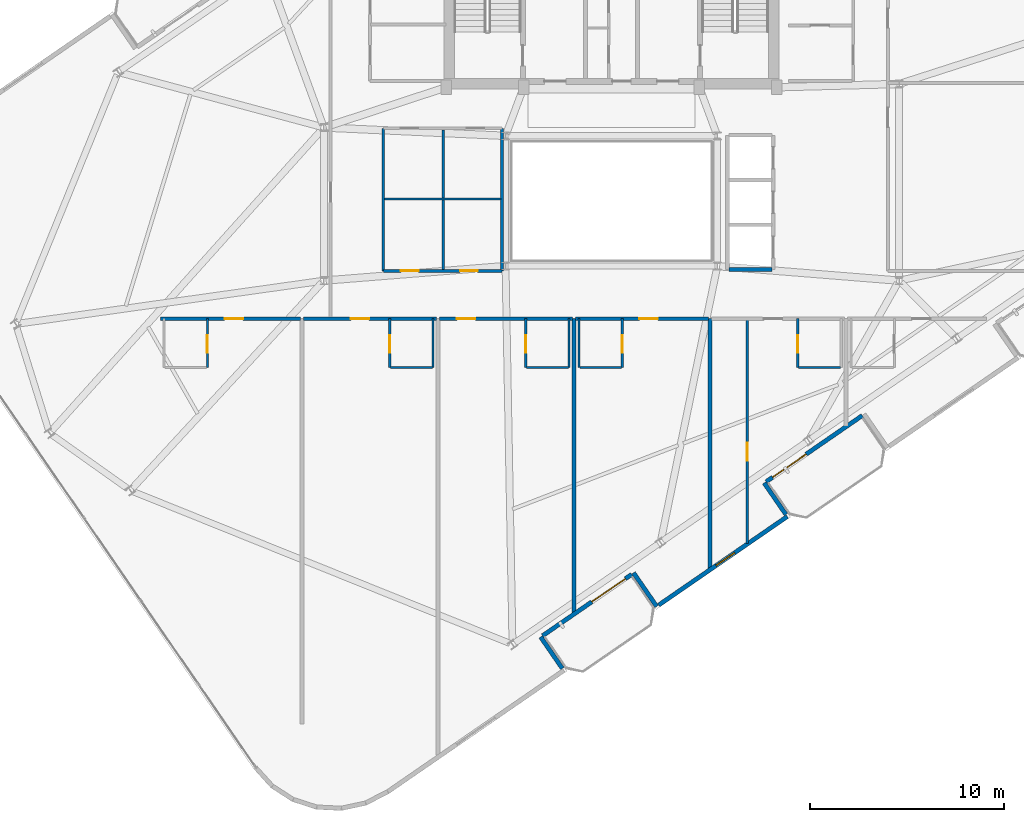
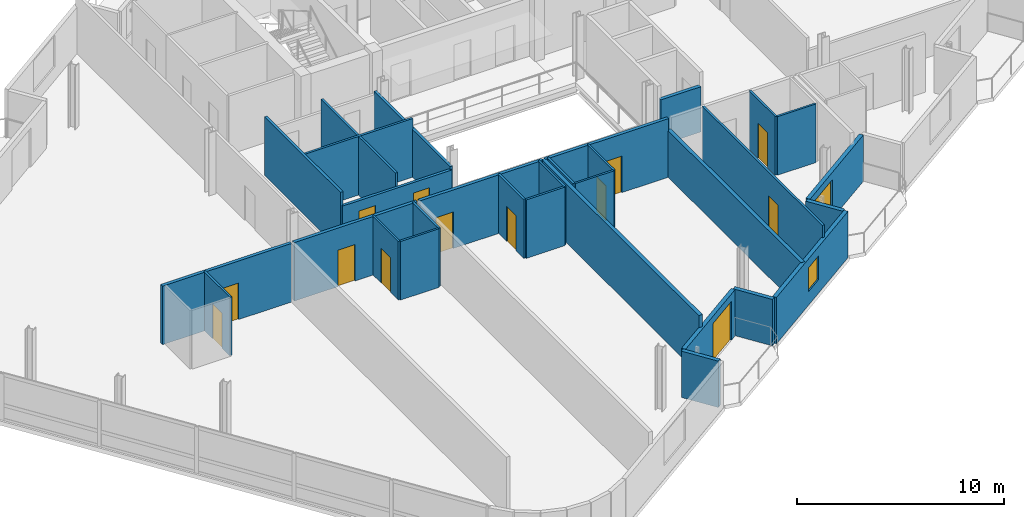
# One storey, part 15 of 22: 31 walls, 14 doors, 1 window, 15 openings.
"""IFC4 building model written with IfcOpenShell, lengths in metres."""

from ifc_helpers import new_model, si_unit, direction, frame, frame_2d, origin, place, context, subcontext, project, spatial, rectangle, extrude, material, layer, layer_set, type_object, element, fill, save


model = new_model("IFC4")

# Units and contexts
model_context = context("Model", 3, precision=1e-05, world=origin(), true_north=direction((0.0, 1.0)))
body_context = subcontext(model_context, "Body", "Model", "MODEL_VIEW")
ifc_project = project(units=[si_unit("LENGTHUNIT", "METRE"), si_unit("AREAUNIT", "SQUARE_METRE"), si_unit("VOLUMEUNIT", "CUBIC_METRE"), si_unit("PLANEANGLEUNIT", "RADIAN"), si_unit("MASSUNIT", "GRAM", prefix="KILO")], contexts=[model_context])

# Site, building, storey
site_placement = place(None, origin())
site = spatial("IfcSite", under=ifc_project, at=site_placement, CompositionType="ELEMENT")
building_placement = place(site_placement, origin())
building = spatial("IfcBuilding", under=site, at=building_placement, Name="Varnelok Gate Tower", CompositionType="ELEMENT")
storey_placement = place(building_placement, frame((0.0, 0.0, 284.10009765625)))
storey = spatial("IfcBuildingStorey", under=building, at=storey_placement, Name="L73", CompositionType="ELEMENT", Elevation=284.10009765625)

# Wall, opening, door
ifc_material_1 = material(Name="Concrete C45/55", Category="concrete")
ifc_layer_1 = layer(ifc_material_1, 0.219970703125)
ifc_layer_set_1 = layer_set([ifc_layer_1], Name="Concrete C45/55")
wall_type_1 = type_object("IfcWallType", Name="EW-BALC-220", PredefinedType="SOLIDWALL", material=ifc_layer_set_1)
wall_1_placement = place(storey_placement, frame((40.243896484375, 3.6884765625, 0.0), z_axis=(0.0, 0.0, 1.0), x_axis=(-0.823541290762, -0.567256328665, 0.0)))
wall_1 = element("IfcWall", 1, at=wall_1_placement, inside=storey, type_object=wall_type_1, Name="L73 South Terrace Envelope Wall 1", PredefinedType="SOLIDWALL", context=body_context, shape_type="SweptSolid", body=[
    extrude(rectangle(XDim=5.567138671875, YDim=0.219970703125, at=frame_2d((2.78369140625, 0.0))), origin(), (0.0, 0.0, 1.0), 2.72998046875),
])
opening_1_placement = place(wall_1_placement, frame((0.39990234375, 0.0, 0.0)))
opening_1 = element("IfcOpeningElement", 2, at=opening_1_placement, cuts=wall_1, Name="Opening BD-2", PredefinedType="OPENING", context=body_context, shape_type="SweptSolid", body=[
    extrude(rectangle(XDim=2.10009765625, YDim=2.300048828125, at=frame_2d((1.050048828125, 1.14990234375))), frame((0.0, 0.119873046875, 0.0), z_axis=(0.0, -1.0, 0.0), x_axis=(1.0, 0.0, 0.0)), (0.0, 0.0, 1.0), 0.239990234375),
])
ifc_material_2 = material(Name="Anodized Aluminum Alloy 6063-T6", Category="aluminium")
door_type_1 = type_object("IfcDoorType", Name="DR-EXT-SLID2100", OperationType="SLIDING_TO_LEFT", PredefinedType="DOOR", material=ifc_material_2)
door_1_placement = place(opening_1_placement, origin())
door_1 = element("IfcDoor", 3, at=door_1_placement, inside=storey, type_object=door_type_1, Name="L73 South Balcony Glazed Door 1", OperationType="SLIDING_TO_LEFT", OverallHeight=2.300048828125, OverallWidth=2.10009765625, PredefinedType="DOOR", context=body_context, shape_type="SweptSolid", body=[
    extrude(rectangle(XDim=2.10009765625, YDim=2.300048828125, at=frame_2d((1.050048828125, 1.14990234375))), frame((0.0, 0.02490234375, 0.0), z_axis=(0.0, -1.0, 0.0), x_axis=(1.0, 0.0, 0.0)), (0.0, 0.0, 1.0), 0.050048828125),
])
fill(opening_1, door_1)

wall_2_placement = place(storey_placement, frame((52.102783203125, 11.85693359375, 0.0), z_axis=(0.0, 0.0, 1.0), x_axis=(-0.823534636215, -0.567265989598, 0.0)))
wall_2 = element("IfcWall", 4, at=wall_2_placement, inside=storey, type_object=wall_type_1, Name="L73 South Terrace Envelope Wall 2", PredefinedType="SOLIDWALL", context=body_context, shape_type="SweptSolid", body=[
    extrude(rectangle(XDim=6.0, YDim=0.219970703125, at=frame_2d((3.0, 0.0))), origin(), (0.0, 0.0, 1.0), 2.72998046875),
])
opening_2_placement = place(wall_2_placement, frame((3.5, 0.0, 0.0)))
opening_2 = element("IfcOpeningElement", 5, at=opening_2_placement, cuts=wall_2, Name="Opening BD-2", PredefinedType="OPENING", context=body_context, shape_type="SweptSolid", body=[
    extrude(rectangle(XDim=2.10009765625, YDim=2.300048828125, at=frame_2d((1.050048828125, 1.14990234375))), frame((0.0, 0.119873046875, 0.0), z_axis=(0.0, -1.0, 0.0), x_axis=(1.0, 0.0, 0.0)), (0.0, 0.0, 1.0), 0.239990234375),
])
door_2_placement = place(opening_2_placement, origin())
door_2 = element("IfcDoor", 6, at=door_2_placement, inside=storey, type_object=door_type_1, Name="L73 South Balcony Glazed Door 2", OperationType="SLIDING_TO_LEFT", OverallHeight=2.300048828125, OverallWidth=2.10009765625, PredefinedType="DOOR", context=body_context, shape_type="SweptSolid", body=[
    extrude(rectangle(XDim=2.10009765625, YDim=2.300048828125, at=frame_2d((1.050048828125, 1.14990234375))), frame((0.0, 0.02490234375, 0.0), z_axis=(0.0, -1.0, 0.0), x_axis=(1.0, 0.0, 0.0)), (0.0, 0.0, 1.0), 0.050048828125),
])
fill(opening_2, door_2)

# Walls
wall_3_placement = place(storey_placement, frame((36.675048828125, -1.156005859375, 0.0), z_axis=(0.0, 0.0, 1.0), x_axis=(-0.567215821234, 0.823569190865, 0.0)))
element("IfcWall", 7, at=wall_3_placement, inside=storey, type_object=wall_type_1, Name="L73 Perimeter Facade Closure Wall 8", PredefinedType="SOLIDWALL", context=body_context, shape_type="SweptSolid", body=[
    extrude(rectangle(XDim=1.97509765625, YDim=0.219970703125, at=frame_2d((0.987548828125, 0.0))), origin(), (0.0, 0.0, 1.0), 2.72998046875),
])
wall_4_placement = place(storey_placement, frame((40.3369140625, 3.7646484375, 0.0), z_axis=(0.0, 0.0, 1.0), x_axis=(0.567352541689, -0.823475010816, 0.0)))
element("IfcWall", 8, at=wall_4_placement, inside=storey, type_object=wall_type_1, Name="L73 Perimeter Facade Closure Wall 9", PredefinedType="SOLIDWALL", context=body_context, shape_type="SweptSolid", body=[
    extrude(rectangle(XDim=2.099853515625, YDim=0.219970703125, at=frame_2d((1.0498046875, 0.0))), origin(), (0.0, 0.0, 1.0), 2.72998046875),
])

# Wall, opening, window
wall_5_placement = place(storey_placement, frame((41.631103515625, 2.106201171875, 0.0), z_axis=(0.0, 0.0, 1.0), x_axis=(0.823530942962, 0.56727135128, 0.0)))
wall_5 = element("IfcWall", 9, at=wall_5_placement, inside=storey, type_object=wall_type_1, Name="L73 Perimeter Facade Closure Wall 10", PredefinedType="SOLIDWALL", context=body_context, shape_type="SweptSolid", body=[
    extrude(rectangle(XDim=8.03515625, YDim=0.219970703125, at=frame_2d((4.017578125, 0.0))), origin(), (0.0, 0.0, 1.0), 2.72998046875),
])
opening_3_placement = place(wall_5_placement, frame((3.58984375, 0.0, 0.800048828125)))
opening_3 = element("IfcOpeningElement", 10, at=opening_3_placement, cuts=wall_5, Name="Opening WN8", PredefinedType="OPENING", context=body_context, shape_type="SweptSolid", body=[
    extrude(rectangle(XDim=1.14990234375, YDim=1.39990234375, at=frame_2d((0.574951171875, 0.699951171875))), frame((0.0, 0.119873046875, 0.0), z_axis=(0.0, -1.0, 0.0), x_axis=(1.0, 0.0, 0.0)), (0.0, 0.0, 1.0), 0.239990234375),
])
ifc_material_3 = material(Name="Low-E Laminated Double Glazing IGU", Category="glass")
window_type = type_object("IfcWindowType", Name="WN-BED-1150", PartitioningType="SINGLE_PANEL", PredefinedType="WINDOW", material=ifc_material_3)
window_placement = place(opening_3_placement, origin())
window = element("IfcWindow", 11, at=window_placement, inside=storey, type_object=window_type, Name="L73 Bedroom Vision Window 53", OverallHeight=1.39990234375, OverallWidth=1.14990234375, PartitioningType="SINGLE_PANEL", PredefinedType="WINDOW", context=body_context, shape_type="SweptSolid", body=[
    extrude(rectangle(XDim=1.14990234375, YDim=1.39990234375, at=frame_2d((0.574951171875, 0.699951171875))), frame((0.0, 0.030029296875, 0.0), z_axis=(0.0, -1.0, 0.0), x_axis=(1.0, 0.0, 0.0)), (0.0, 0.0, 1.0), 0.06005859375),
])
fill(opening_3, window)

# Wall
wall_6_placement = place(storey_placement, frame((48.17724609375, 6.76708984375, 0.0), z_axis=(0.0, 0.0, 1.0), x_axis=(-0.567273565974, 0.823529417415, 0.0)))
element("IfcWall", 12, at=wall_6_placement, inside=storey, type_object=wall_type_1, Name="L73 Perimeter Facade Closure Wall 11", PredefinedType="SOLIDWALL", context=body_context, shape_type="SweptSolid", body=[
    extrude(rectangle(XDim=1.97509765625, YDim=0.219970703125, at=frame_2d((0.987548828125, 0.0))), origin(), (0.0, 0.0, 1.0), 2.72998046875),
])

# Wall, opening, door
ifc_material_4 = material(Name="Gypsum Plasterboard Acoustic Partition", Category="gypsum")
ifc_layer_2 = layer(ifc_material_4, 0.179931640625)
ifc_layer_set_2 = layer_set([ifc_layer_2], Name="Gypsum Plasterboard Acoustic Partition")
wall_type_2 = type_object("IfcWallType", Name="PW-CORR-180", PredefinedType="PARTITIONING", material=ifc_layer_set_2)
wall_7_placement = place(storey_placement, frame((16.0, 16.85009765625, 0.0), z_axis=(0.0, 0.0, 1.0), x_axis=(1.0, 0.0, 0.0)))
wall_7 = element("IfcWall", 13, at=wall_7_placement, inside=storey, type_object=wall_type_2, Name="Interior Partition", PredefinedType="PARTITIONING", context=body_context, shape_type="SweptSolid", body=[
    extrude(rectangle(XDim=7.199951171875, YDim=0.179931640625, at=frame_2d((3.60009765625, 0.0))), origin(), (0.0, 0.0, 1.0), 3.449951171875),
])
opening_4_placement = place(wall_7_placement, frame((3.2939453125, 0.0, 0.0)))
opening_4 = element("IfcOpeningElement", 14, at=opening_4_placement, cuts=wall_7, Name="Opening D-HT", PredefinedType="OPENING", context=body_context, shape_type="SweptSolid", body=[
    extrude(rectangle(XDim=0.949951171875, YDim=2.14990234375, at=frame_2d((0.47509765625, 1.074951171875))), frame((0.0, 0.099853515625, 0.0), z_axis=(0.0, -1.0, 0.0), x_axis=(1.0, 0.0, 0.0)), (0.0, 0.0, 1.0), 0.199951171875),
])
ifc_material_5 = material(Name="Engineered Hardwood Timber", Category="wood")
door_type_2 = type_object("IfcDoorType", Name="DR-HTL-950", OperationType="NOTDEFINED", PredefinedType="DOOR", material=ifc_material_5)
door_3_placement = place(opening_4_placement, origin())
door_3 = element("IfcDoor", 15, at=door_3_placement, inside=storey, type_object=door_type_2, Name="L73 Guest Room 01 Entrance Door", OperationType="SINGLE_SWING_RIGHT", OverallHeight=2.14990234375, OverallWidth=0.949951171875, PredefinedType="DOOR", context=body_context, shape_type="SweptSolid", body=[
    extrude(rectangle(XDim=0.949951171875, YDim=2.14990234375, at=frame_2d((0.47509765625, 1.074951171875))), frame((0.0, 0.02490234375, 0.0), z_axis=(0.0, -1.0, 0.0), x_axis=(1.0, 0.0, 0.0)), (0.0, 0.0, 1.0), 0.050048828125),
])
fill(opening_4, door_3)

wall_8_placement = place(storey_placement, frame((23.35009765625, 16.85009765625, 0.0), z_axis=(0.0, 0.0, 1.0), x_axis=(1.0, 0.0, 0.0)))
wall_8 = element("IfcWall", 16, at=wall_8_placement, inside=storey, type_object=wall_type_2, Name="Interior Partition", PredefinedType="PARTITIONING", context=body_context, shape_type="SweptSolid", body=[
    extrude(rectangle(XDim=6.849853515625, YDim=0.179931640625, at=frame_2d((3.4248046875, 0.0))), origin(), (0.0, 0.0, 1.0), 3.449951171875),
])
opening_5_placement = place(wall_8_placement, frame((2.437255859375, 0.0, 0.0)))
opening_5 = element("IfcOpeningElement", 17, at=opening_5_placement, cuts=wall_8, Name="Opening D-HT", PredefinedType="OPENING", context=body_context, shape_type="SweptSolid", body=[
    extrude(rectangle(XDim=0.949951171875, YDim=2.14990234375, at=frame_2d((0.47509765625, 1.074951171875))), frame((0.0, 0.099853515625, 0.0), z_axis=(0.0, -1.0, 0.0), x_axis=(1.0, 0.0, 0.0)), (0.0, 0.0, 1.0), 0.199951171875),
])
door_4_placement = place(opening_5_placement, origin())
door_4 = element("IfcDoor", 18, at=door_4_placement, inside=storey, type_object=door_type_2, Name="L73 Guest Room 02 Entrance Door", OperationType="SINGLE_SWING_LEFT", OverallHeight=2.14990234375, OverallWidth=0.949951171875, PredefinedType="DOOR", context=body_context, shape_type="SweptSolid", body=[
    extrude(rectangle(XDim=0.949951171875, YDim=2.14990234375, at=frame_2d((0.47509765625, 1.074951171875))), frame((0.0, 0.02490234375, 0.0), z_axis=(0.0, -1.0, 0.0), x_axis=(1.0, 0.0, 0.0)), (0.0, 0.0, 1.0), 0.050048828125),
])
fill(opening_5, door_4)

wall_9_placement = place(storey_placement, frame((30.35009765625, 16.85009765625, 0.0), z_axis=(0.0, 0.0, 1.0), x_axis=(1.0, 0.0, 0.0)))
wall_9 = element("IfcWall", 19, at=wall_9_placement, inside=storey, type_object=wall_type_2, Name="Interior Partition", PredefinedType="PARTITIONING", context=body_context, shape_type="SweptSolid", body=[
    extrude(rectangle(XDim=6.849853515625, YDim=0.179931640625, at=frame_2d((3.4248046875, 0.0))), origin(), (0.0, 0.0, 1.0), 3.449951171875),
])
opening_6_placement = place(wall_9_placement, frame((0.902099609375, 0.0, 0.0)))
opening_6 = element("IfcOpeningElement", 20, at=opening_6_placement, cuts=wall_9, Name="Opening D-HT", PredefinedType="OPENING", context=body_context, shape_type="SweptSolid", body=[
    extrude(rectangle(XDim=0.949951171875, YDim=2.14990234375, at=frame_2d((0.47509765625, 1.074951171875))), frame((0.0, 0.099853515625, 0.0), z_axis=(0.0, -1.0, 0.0), x_axis=(1.0, 0.0, 0.0)), (0.0, 0.0, 1.0), 0.199951171875),
])
door_5_placement = place(opening_6_placement, origin())
door_5 = element("IfcDoor", 21, at=door_5_placement, inside=storey, type_object=door_type_2, Name="L73 Guest Room 03 Entrance Door", OperationType="SINGLE_SWING_RIGHT", OverallHeight=2.14990234375, OverallWidth=0.949951171875, PredefinedType="DOOR", context=body_context, shape_type="SweptSolid", body=[
    extrude(rectangle(XDim=0.949951171875, YDim=2.14990234375, at=frame_2d((0.47509765625, 1.074951171875))), frame((0.0, 0.02490234375, 0.0), z_axis=(0.0, -1.0, 0.0), x_axis=(1.0, 0.0, 0.0)), (0.0, 0.0, 1.0), 0.050048828125),
])
fill(opening_6, door_5)

wall_10_placement = place(storey_placement, frame((37.35009765625, 16.85009765625, 0.0), z_axis=(0.0, 0.0, 1.0), x_axis=(1.0, 0.0, 0.0)))
wall_10 = element("IfcWall", 22, at=wall_10_placement, inside=storey, type_object=wall_type_2, Name="Interior Partition", PredefinedType="PARTITIONING", context=body_context, shape_type="SweptSolid", body=[
    extrude(rectangle(XDim=6.849853515625, YDim=0.179931640625, at=frame_2d((3.4248046875, 0.0))), origin(), (0.0, 0.0, 1.0), 3.449951171875),
])
opening_7_placement = place(wall_10_placement, frame((3.292236328125, 0.0, 0.0)))
opening_7 = element("IfcOpeningElement", 23, at=opening_7_placement, cuts=wall_10, Name="Opening D-HT", PredefinedType="OPENING", context=body_context, shape_type="SweptSolid", body=[
    extrude(rectangle(XDim=0.949951171875, YDim=2.14990234375, at=frame_2d((0.47509765625, 1.074951171875))), frame((0.0, 0.099853515625, 0.0), z_axis=(0.0, -1.0, 0.0), x_axis=(1.0, 0.0, 0.0)), (0.0, 0.0, 1.0), 0.199951171875),
])
door_6_placement = place(opening_7_placement, origin())
door_6 = element("IfcDoor", 24, at=door_6_placement, inside=storey, type_object=door_type_2, Name="L73 Guest Room 04 Entrance Door", OperationType="SINGLE_SWING_LEFT", OverallHeight=2.14990234375, OverallWidth=0.949951171875, PredefinedType="DOOR", context=body_context, shape_type="SweptSolid", body=[
    extrude(rectangle(XDim=0.949951171875, YDim=2.14990234375, at=frame_2d((0.47509765625, 1.074951171875))), frame((0.0, 0.02490234375, 0.0), z_axis=(0.0, -1.0, 0.0), x_axis=(1.0, 0.0, 0.0)), (0.0, 0.0, 1.0), 0.050048828125),
])
fill(opening_7, door_6)

ifc_layer_3 = layer(ifc_material_4, 0.114990234375)
ifc_layer_set_3 = layer_set([ifc_layer_3], Name="Gypsum Plasterboard Acoustic Partition")
wall_type_3 = type_object("IfcWallType", Name="PW-ENS-125", PredefinedType="PARTITIONING", material=ifc_layer_set_3)
wall_11_placement = place(storey_placement, frame((18.409912109375, 14.330078125, 0.0), z_axis=(0.0, 0.0, 1.0), x_axis=(0.0, 1.0, 0.0)))
wall_11 = element("IfcWall", 25, at=wall_11_placement, inside=storey, type_object=wall_type_3, Name="Interior Partition", PredefinedType="PARTITIONING", context=body_context, shape_type="SweptSolid", body=[
    extrude(rectangle(XDim=2.52001953125, YDim=0.114990234375, at=frame_2d((1.260009765625, 0.0))), origin(), (0.0, 0.0, 1.0), 3.449951171875),
])
opening_8_placement = place(wall_11_placement, frame((0.760009765625, 0.0, 0.0)))
opening_8 = element("IfcOpeningElement", 26, at=opening_8_placement, cuts=wall_11, Name="Opening D-WC", PredefinedType="OPENING", context=body_context, shape_type="SweptSolid", body=[
    extrude(rectangle(XDim=0.89990234375, YDim=2.050048828125, at=frame_2d((0.449951171875, 1.02490234375))), frame((0.0, 0.0673828125, 0.0), z_axis=(0.0, -1.0, 0.0), x_axis=(1.0, 0.0, 0.0)), (0.0, 0.0, 1.0), 0.135009765625),
])
door_type_3 = type_object("IfcDoorType", Name="DR-BATH-900", OperationType="NOTDEFINED", PredefinedType="DOOR", material=ifc_material_5)
door_7_placement = place(opening_8_placement, origin())
door_7 = element("IfcDoor", 27, at=door_7_placement, inside=storey, type_object=door_type_3, Name="L73 Guest En-Suite 01 Door", OperationType="SINGLE_SWING_LEFT", OverallHeight=2.050048828125, OverallWidth=0.89990234375, PredefinedType="DOOR", context=body_context, shape_type="SweptSolid", body=[
    extrude(rectangle(XDim=0.89990234375, YDim=2.050048828125, at=frame_2d((0.449951171875, 1.02490234375))), frame((0.0, 0.02490234375, 0.0), z_axis=(0.0, -1.0, 0.0), x_axis=(1.0, 0.0, 0.0)), (0.0, 0.0, 1.0), 0.050048828125),
])
fill(opening_8, door_7)

# Wall
wall_12_placement = place(storey_placement, frame((27.830078125, 14.330078125, 0.0), z_axis=(0.0, 0.0, 1.0), x_axis=(1.0, 0.0, 0.0)))
element("IfcWall", 28, at=wall_12_placement, inside=storey, type_object=wall_type_3, Name="Interior Partition", PredefinedType="PARTITIONING", context=body_context, shape_type="SweptSolid", body=[
    extrude(rectangle(XDim=2.14990234375, YDim=0.114990234375, at=frame_2d((1.074951171875, 0.0))), origin(), (0.0, 0.0, 1.0), 3.449951171875),
])

# Wall, opening, door
wall_13_placement = place(storey_placement, frame((27.7900390625, 14.330078125, 0.0), z_axis=(0.0, 0.0, 1.0), x_axis=(0.0, 1.0, 0.0)))
wall_13 = element("IfcWall", 29, at=wall_13_placement, inside=storey, type_object=wall_type_3, Name="Interior Partition", PredefinedType="PARTITIONING", context=body_context, shape_type="SweptSolid", body=[
    extrude(rectangle(XDim=2.52001953125, YDim=0.114990234375, at=frame_2d((1.260009765625, 0.0))), origin(), (0.0, 0.0, 1.0), 3.449951171875),
])
opening_9_placement = place(wall_13_placement, frame((0.760009765625, 0.0, 0.0)))
opening_9 = element("IfcOpeningElement", 30, at=opening_9_placement, cuts=wall_13, Name="Opening D-WC", PredefinedType="OPENING", context=body_context, shape_type="SweptSolid", body=[
    extrude(rectangle(XDim=0.89990234375, YDim=2.050048828125, at=frame_2d((0.449951171875, 1.02490234375))), frame((0.0, 0.0673828125, 0.0), z_axis=(0.0, -1.0, 0.0), x_axis=(1.0, 0.0, 0.0)), (0.0, 0.0, 1.0), 0.135009765625),
])
door_8_placement = place(opening_9_placement, origin())
door_8 = element("IfcDoor", 31, at=door_8_placement, inside=storey, type_object=door_type_3, Name="L73 Guest En-Suite 02 Door", OperationType="SINGLE_SWING_RIGHT", OverallHeight=2.050048828125, OverallWidth=0.89990234375, PredefinedType="DOOR", context=body_context, shape_type="SweptSolid", body=[
    extrude(rectangle(XDim=0.89990234375, YDim=2.050048828125, at=frame_2d((0.449951171875, 1.02490234375))), frame((0.0, 0.02490234375, 0.0), z_axis=(0.0, -1.0, 0.0), x_axis=(1.0, 0.0, 0.0)), (0.0, 0.0, 1.0), 0.050048828125),
])
fill(opening_9, door_8)

# Walls
wall_14_placement = place(storey_placement, frame((30.02001953125, 14.330078125, 0.0), z_axis=(0.0, 0.0, 1.0), x_axis=(0.0, 1.0, 0.0)))
element("IfcWall", 32, at=wall_14_placement, inside=storey, type_object=wall_type_3, Name="Interior Partition", PredefinedType="PARTITIONING", context=body_context, shape_type="SweptSolid", body=[
    extrude(rectangle(XDim=2.52001953125, YDim=0.114990234375, at=frame_2d((1.260009765625, 0.0))), origin(), (0.0, 0.0, 1.0), 3.449951171875),
])
wall_15_placement = place(storey_placement, frame((34.830078125, 14.330078125, 0.0), z_axis=(0.0, 0.0, 1.0), x_axis=(1.0, 0.0, 0.0)))
element("IfcWall", 33, at=wall_15_placement, inside=storey, type_object=wall_type_3, Name="Interior Partition", PredefinedType="PARTITIONING", context=body_context, shape_type="SweptSolid", body=[
    extrude(rectangle(XDim=2.14990234375, YDim=0.114990234375, at=frame_2d((1.074951171875, 0.0))), origin(), (0.0, 0.0, 1.0), 3.449951171875),
])

# Wall, opening, door
wall_16_placement = place(storey_placement, frame((34.7900390625, 14.330078125, 0.0), z_axis=(0.0, 0.0, 1.0), x_axis=(0.0, 1.0, 0.0)))
wall_16 = element("IfcWall", 34, at=wall_16_placement, inside=storey, type_object=wall_type_3, Name="Interior Partition", PredefinedType="PARTITIONING", context=body_context, shape_type="SweptSolid", body=[
    extrude(rectangle(XDim=2.52001953125, YDim=0.114990234375, at=frame_2d((1.260009765625, 0.0))), origin(), (0.0, 0.0, 1.0), 3.449951171875),
])
opening_10_placement = place(wall_16_placement, frame((0.760009765625, 0.0, 0.0)))
opening_10 = element("IfcOpeningElement", 35, at=opening_10_placement, cuts=wall_16, Name="Opening D-WC", PredefinedType="OPENING", context=body_context, shape_type="SweptSolid", body=[
    extrude(rectangle(XDim=0.89990234375, YDim=2.050048828125, at=frame_2d((0.449951171875, 1.02490234375))), frame((0.0, 0.0673828125, 0.0), z_axis=(0.0, -1.0, 0.0), x_axis=(1.0, 0.0, 0.0)), (0.0, 0.0, 1.0), 0.135009765625),
])
door_9_placement = place(opening_10_placement, origin())
door_9 = element("IfcDoor", 36, at=door_9_placement, inside=storey, type_object=door_type_3, Name="L73 Guest En-Suite 03 Door", OperationType="SINGLE_SWING_RIGHT", OverallHeight=2.050048828125, OverallWidth=0.89990234375, PredefinedType="DOOR", context=body_context, shape_type="SweptSolid", body=[
    extrude(rectangle(XDim=0.89990234375, YDim=2.050048828125, at=frame_2d((0.449951171875, 1.02490234375))), frame((0.0, 0.02490234375, 0.0), z_axis=(0.0, -1.0, 0.0), x_axis=(1.0, 0.0, 0.0)), (0.0, 0.0, 1.0), 0.050048828125),
])
fill(opening_10, door_9)

# Walls
wall_17_placement = place(storey_placement, frame((37.02001953125, 14.330078125, 0.0), z_axis=(0.0, 0.0, 1.0), x_axis=(0.0, 1.0, 0.0)))
element("IfcWall", 37, at=wall_17_placement, inside=storey, type_object=wall_type_3, Name="Interior Partition", PredefinedType="PARTITIONING", context=body_context, shape_type="SweptSolid", body=[
    extrude(rectangle(XDim=2.52001953125, YDim=0.114990234375, at=frame_2d((1.260009765625, 0.0))), origin(), (0.0, 0.0, 1.0), 3.449951171875),
])
wall_18_placement = place(storey_placement, frame((37.570068359375, 14.330078125, 0.0), z_axis=(0.0, 0.0, 1.0), x_axis=(1.0, 0.0, 0.0)))
element("IfcWall", 38, at=wall_18_placement, inside=storey, type_object=wall_type_3, Name="Interior Partition", PredefinedType="PARTITIONING", context=body_context, shape_type="SweptSolid", body=[
    extrude(rectangle(XDim=2.14990234375, YDim=0.114990234375, at=frame_2d((1.074951171875, 0.0))), origin(), (0.0, 0.0, 1.0), 3.449951171875),
])

# Wall, opening, door
wall_19_placement = place(storey_placement, frame((39.760009765625, 14.330078125, 0.0), z_axis=(0.0, 0.0, 1.0), x_axis=(0.0, 1.0, 0.0)))
wall_19 = element("IfcWall", 39, at=wall_19_placement, inside=storey, type_object=wall_type_3, Name="Interior Partition", PredefinedType="PARTITIONING", context=body_context, shape_type="SweptSolid", body=[
    extrude(rectangle(XDim=2.52001953125, YDim=0.114990234375, at=frame_2d((1.260009765625, 0.0))), origin(), (0.0, 0.0, 1.0), 3.449951171875),
])
opening_11_placement = place(wall_19_placement, frame((0.760009765625, 0.0, 0.0)))
opening_11 = element("IfcOpeningElement", 40, at=opening_11_placement, cuts=wall_19, Name="Opening D-WC", PredefinedType="OPENING", context=body_context, shape_type="SweptSolid", body=[
    extrude(rectangle(XDim=0.89990234375, YDim=2.050048828125, at=frame_2d((0.449951171875, 1.02490234375))), frame((0.0, 0.0673828125, 0.0), z_axis=(0.0, -1.0, 0.0), x_axis=(1.0, 0.0, 0.0)), (0.0, 0.0, 1.0), 0.135009765625),
])
door_10_placement = place(opening_11_placement, origin())
door_10 = element("IfcDoor", 41, at=door_10_placement, inside=storey, type_object=door_type_3, Name="L73 Guest En-Suite 04 Door", OperationType="SINGLE_SWING_LEFT", OverallHeight=2.050048828125, OverallWidth=0.89990234375, PredefinedType="DOOR", context=body_context, shape_type="SweptSolid", body=[
    extrude(rectangle(XDim=0.89990234375, YDim=2.050048828125, at=frame_2d((0.449951171875, 1.02490234375))), frame((0.0, 0.02490234375, 0.0), z_axis=(0.0, -1.0, 0.0), x_axis=(1.0, 0.0, 0.0)), (0.0, 0.0, 1.0), 0.050048828125),
])
fill(opening_11, door_10)

# Walls
wall_20_placement = place(storey_placement, frame((37.530029296875, 14.330078125, 0.0), z_axis=(0.0, 0.0, 1.0), x_axis=(0.0, 1.0, 0.0)))
element("IfcWall", 42, at=wall_20_placement, inside=storey, type_object=wall_type_3, Name="Interior Partition", PredefinedType="PARTITIONING", context=body_context, shape_type="SweptSolid", body=[
    extrude(rectangle(XDim=2.52001953125, YDim=0.114990234375, at=frame_2d((1.260009765625, 0.0))), origin(), (0.0, 0.0, 1.0), 3.449951171875),
])
wall_21_placement = place(storey_placement, frame((48.830078125, 14.330078125, 0.0), z_axis=(0.0, 0.0, 1.0), x_axis=(1.0, 0.0, 0.0)))
element("IfcWall", 43, at=wall_21_placement, inside=storey, type_object=wall_type_3, Name="Interior Partition", PredefinedType="PARTITIONING", context=body_context, shape_type="SweptSolid", body=[
    extrude(rectangle(XDim=2.14990234375, YDim=0.114990234375, at=frame_2d((1.074951171875, 0.0))), origin(), (0.0, 0.0, 1.0), 3.449951171875),
])

# Wall, opening, door
wall_22_placement = place(storey_placement, frame((48.7900390625, 14.330078125, 0.0), z_axis=(0.0, 0.0, 1.0), x_axis=(0.0, 1.0, 0.0)))
wall_22 = element("IfcWall", 44, at=wall_22_placement, inside=storey, type_object=wall_type_3, Name="Interior Partition", PredefinedType="PARTITIONING", context=body_context, shape_type="SweptSolid", body=[
    extrude(rectangle(XDim=2.52001953125, YDim=0.114990234375, at=frame_2d((1.260009765625, 0.0))), origin(), (0.0, 0.0, 1.0), 3.449951171875),
])
opening_12_placement = place(wall_22_placement, frame((0.760009765625, 0.0, 0.0)))
opening_12 = element("IfcOpeningElement", 45, at=opening_12_placement, cuts=wall_22, Name="Opening D-WC", PredefinedType="OPENING", context=body_context, shape_type="SweptSolid", body=[
    extrude(rectangle(XDim=0.89990234375, YDim=2.050048828125, at=frame_2d((0.449951171875, 1.02490234375))), frame((0.0, 0.0673828125, 0.0), z_axis=(0.0, -1.0, 0.0), x_axis=(1.0, 0.0, 0.0)), (0.0, 0.0, 1.0), 0.135009765625),
])
door_11_placement = place(opening_12_placement, origin())
door_11 = element("IfcDoor", 46, at=door_11_placement, inside=storey, type_object=door_type_3, Name="L73 Guest En-Suite 05 Door", OperationType="SINGLE_SWING_RIGHT", OverallHeight=2.050048828125, OverallWidth=0.89990234375, PredefinedType="DOOR", context=body_context, shape_type="SweptSolid", body=[
    extrude(rectangle(XDim=0.89990234375, YDim=2.050048828125, at=frame_2d((0.449951171875, 1.02490234375))), frame((0.0, 0.02490234375, 0.0), z_axis=(0.0, -1.0, 0.0), x_axis=(1.0, 0.0, 0.0)), (0.0, 0.0, 1.0), 0.050048828125),
])
fill(opening_12, door_11)

# Walls
ifc_layer_4 = layer(ifc_material_4, 0.125)
ifc_layer_set_4 = layer_set([ifc_layer_4], Name="Gypsum Plasterboard Acoustic Partition")
wall_type_4 = type_object("IfcWallType", Name="PW-PART-125", PredefinedType="PARTITIONING", material=ifc_layer_set_4)
wall_23_placement = place(storey_placement, frame((30.550048828125, 19.3798828125, 0.0), z_axis=(0.0, 0.0, 1.0), x_axis=(0.0, 1.0, 0.0)))
element("IfcWall", 47, at=wall_23_placement, inside=storey, type_object=wall_type_4, Name="Interior Partition", PredefinedType="PARTITIONING", context=body_context, shape_type="SweptSolid", body=[
    extrude(rectangle(XDim=7.18017578125, YDim=0.125, at=frame_2d((3.590087890625, 0.0))), origin(), (0.0, 0.0, 1.0), 3.449951171875),
])
wall_24_placement = place(storey_placement, frame((27.52001953125, 23.0, 0.0), z_axis=(0.0, 0.0, 1.0), x_axis=(1.0, 0.0, 0.0)))
element("IfcWall", 48, at=wall_24_placement, inside=storey, type_object=wall_type_4, Name="Interior Partition", PredefinedType="PARTITIONING", context=body_context, shape_type="SweptSolid", body=[
    extrude(rectangle(XDim=6.0, YDim=0.125, at=frame_2d((3.0, 0.0))), origin(), (0.0, 0.0, 1.0), 3.449951171875),
])

# Wall, opening, door
wall_25_placement = place(storey_placement, frame((46.179931640625, 5.263916015625, 0.0), z_axis=(0.0, 0.0, 1.0), x_axis=(0.0, 1.0, 0.0)))
wall_25 = element("IfcWall", 49, at=wall_25_placement, inside=storey, type_object=wall_type_4, Name="Interior Partition", PredefinedType="PARTITIONING", context=body_context, shape_type="SweptSolid", body=[
    extrude(rectangle(XDim=11.586181640625, YDim=0.125, at=frame_2d((5.79296875, 0.0))), origin(), (0.0, 0.0, 1.0), 3.449951171875),
])
opening_13_placement = place(wall_25_placement, frame((4.266845703125, 0.0, 0.0)))
opening_13 = element("IfcOpeningElement", 50, at=opening_13_placement, cuts=wall_25, Name="Opening D-I3", PredefinedType="OPENING", context=body_context, shape_type="SweptSolid", body=[
    extrude(rectangle(XDim=0.919921875, YDim=2.050048828125, at=frame_2d((0.4599609375, 1.02490234375))), frame((0.0, 0.072509765625, 0.0), z_axis=(0.0, -1.0, 0.0), x_axis=(1.0, 0.0, 0.0)), (0.0, 0.0, 1.0), 0.14501953125),
])
door_type_4 = type_object("IfcDoorType", Name="DR-INT-920", OperationType="NOTDEFINED", PredefinedType="DOOR", material=ifc_material_5)
door_12_placement = place(opening_13_placement, origin())
door_12 = element("IfcDoor", 51, at=door_12_placement, inside=storey, type_object=door_type_4, Name="L73 Suite Bedroom Door 5", OperationType="SINGLE_SWING_LEFT", OverallHeight=2.050048828125, OverallWidth=0.919921875, PredefinedType="DOOR", context=body_context, shape_type="SweptSolid", body=[
    extrude(rectangle(XDim=0.919921875, YDim=2.050048828125, at=frame_2d((0.4599609375, 1.02490234375))), frame((0.0, 0.02490234375, 0.0), z_axis=(0.0, -1.0, 0.0), x_axis=(1.0, 0.0, 0.0)), (0.0, 0.0, 1.0), 0.050048828125),
])
fill(opening_13, door_12)

# Wall, openings, doors
ifc_layer_5 = layer(ifc_material_4, 0.14990234375)
ifc_layer_set_5 = layer_set([ifc_layer_5], Name="Gypsum Plasterboard Acoustic Partition")
wall_type_5 = type_object("IfcWallType", Name="PW-PART-150", PredefinedType="PARTITIONING", material=ifc_layer_set_5)
wall_26_placement = place(storey_placement, frame((27.4599609375, 19.300048828125, 0.0), z_axis=(0.0, 0.0, 1.0), x_axis=(1.0, 0.0, 0.0)))
wall_26 = element("IfcWall", 52, at=wall_26_placement, inside=storey, type_object=wall_type_5, Name="Interior Partition", PredefinedType="PARTITIONING", context=body_context, shape_type="SweptSolid", body=[
    extrude(rectangle(XDim=6.10009765625, YDim=0.14990234375, at=frame_2d((3.050048828125, 0.0))), origin(), (0.0, 0.0, 1.0), 2.661865234375),
])
opening_14_placement = place(wall_26_placement, frame((0.89990234375, 0.0, 0.0)))
opening_14 = element("IfcOpeningElement", 53, at=opening_14_placement, cuts=wall_26, Name="Opening D-I3", PredefinedType="OPENING", context=body_context, shape_type="SweptSolid", body=[
    extrude(rectangle(XDim=0.919921875, YDim=2.050048828125, at=frame_2d((0.4599609375, 1.02490234375))), frame((0.0, 0.0849609375, 0.0), z_axis=(0.0, -1.0, 0.0), x_axis=(1.0, 0.0, 0.0)), (0.0, 0.0, 1.0), 0.169921875),
])
opening_15_placement = place(wall_26_placement, frame((3.949951171875, 0.0, 0.0)))
opening_15 = element("IfcOpeningElement", 54, at=opening_15_placement, cuts=wall_26, Name="Opening D-WC", PredefinedType="OPENING", context=body_context, shape_type="SweptSolid", body=[
    extrude(rectangle(XDim=0.89990234375, YDim=2.050048828125, at=frame_2d((0.449951171875, 1.02490234375))), frame((0.0, 0.0849609375, 0.0), z_axis=(0.0, -1.0, 0.0), x_axis=(1.0, 0.0, 0.0)), (0.0, 0.0, 1.0), 0.169921875),
])
door_13_placement = place(opening_15_placement, origin())
door_13 = element("IfcDoor", 55, at=door_13_placement, inside=storey, type_object=door_type_3, Name="L73 Accessible WC Door", OperationType="SINGLE_SWING_LEFT", OverallHeight=2.050048828125, OverallWidth=0.89990234375, PredefinedType="DOOR", context=body_context, shape_type="SweptSolid", body=[
    extrude(rectangle(XDim=0.89990234375, YDim=2.050048828125, at=frame_2d((0.449951171875, 1.02490234375))), frame((0.0, 0.02490234375, 0.0), z_axis=(0.0, -1.0, 0.0), x_axis=(1.0, 0.0, 0.0)), (0.0, 0.0, 1.0), 0.050048828125),
])
fill(opening_15, door_13)
door_14_placement = place(opening_14_placement, origin())
door_14 = element("IfcDoor", 56, at=door_14_placement, inside=storey, type_object=door_type_4, Name="L73 Sky Pantry Door", OperationType="SINGLE_SWING_RIGHT", OverallHeight=2.050048828125, OverallWidth=0.919921875, PredefinedType="DOOR", context=body_context, shape_type="SweptSolid", body=[
    extrude(rectangle(XDim=0.919921875, YDim=2.050048828125, at=frame_2d((0.4599609375, 1.02490234375))), frame((0.0, 0.02490234375, 0.0), z_axis=(0.0, -1.0, 0.0), x_axis=(1.0, 0.0, 0.0)), (0.0, 0.0, 1.0), 0.050048828125),
])
fill(opening_14, door_14)

# Walls
wall_27_placement = place(storey_placement, frame((27.4599609375, 19.300048828125, 0.0), z_axis=(0.0, 0.0, 1.0), x_axis=(0.0, 1.0, 0.0)))
element("IfcWall", 57, at=wall_27_placement, inside=storey, type_object=wall_type_5, Name="Interior Partition", PredefinedType="PARTITIONING", context=body_context, shape_type="SweptSolid", body=[
    extrude(rectangle(XDim=7.33984375, YDim=0.14990234375, at=frame_2d((3.669921875, 0.0))), origin(), (0.0, 0.0, 1.0), 3.449951171875),
])
wall_28_placement = place(storey_placement, frame((33.56005859375, 19.300048828125, 0.0), z_axis=(0.0, 0.0, 1.0), x_axis=(0.0, 1.0, 0.0)))
element("IfcWall", 58, at=wall_28_placement, inside=storey, type_object=wall_type_5, Name="Interior Partition", PredefinedType="PARTITIONING", context=body_context, shape_type="SweptSolid", body=[
    extrude(rectangle(XDim=7.33984375, YDim=0.14990234375, at=frame_2d((3.669921875, 0.0))), origin(), (0.0, 0.0, 1.0), 2.823974609375),
])
ifc_layer_6 = layer(ifc_material_4, 0.205078125)
ifc_layer_set_6 = layer_set([ifc_layer_6], Name="Gypsum Plasterboard Acoustic Partition")
wall_type_6 = type_object("IfcWallType", Name="PW-PARTY-200", PredefinedType="PARTITIONING", material=ifc_layer_set_6)
wall_29_placement = place(storey_placement, frame((37.27490234375, 1.6796875, 0.0), z_axis=(0.0, 0.0, 1.0), x_axis=(0.0, 1.0, 0.0)))
element("IfcWall", 59, at=wall_29_placement, inside=storey, type_object=wall_type_6, Name="L73 South Suite Party Wall 3", PredefinedType="PARTITIONING", context=body_context, shape_type="SweptSolid", body=[
    extrude(rectangle(XDim=15.17041015625, YDim=0.205078125, at=frame_2d((7.585205078125, 0.0))), origin(), (0.0, 0.0, 1.0), 3.449951171875),
])
wall_30_placement = place(storey_placement, frame((44.27490234375, 3.95166015625, 0.0), z_axis=(0.0, 0.0, 1.0), x_axis=(0.0, 1.0, 0.0)))
element("IfcWall", 60, at=wall_30_placement, inside=storey, type_object=wall_type_6, Name="L73 South Suite Party Wall 4", PredefinedType="PARTITIONING", context=body_context, shape_type="SweptSolid", body=[
    extrude(rectangle(XDim=12.8984375, YDim=0.205078125, at=frame_2d((6.44921875, 0.0))), origin(), (0.0, 0.0, 1.0), 2.739013671875),
])
ifc_material_6 = material(Name="Concrete C35/45", Category="concrete")
ifc_layer_7 = layer(ifc_material_6, 0.199951171875)
ifc_layer_set_7 = layer_set([ifc_layer_7], Name="Concrete C35/45")
wall_type_7 = type_object("IfcWallType", Name="PW-SHAFT-200", PredefinedType="PARTITIONING", material=ifc_layer_set_7)
wall_31_placement = place(storey_placement, frame((45.239990234375, 19.3798828125, 0.0), z_axis=(0.0, 0.0, 1.0), x_axis=(1.0, 0.0, 0.0)))
element("IfcWall", 61, at=wall_31_placement, inside=storey, type_object=wall_type_7, Name="L73 PH Bank South Wall", PredefinedType="PARTITIONING", context=body_context, shape_type="SweptSolid", body=[
    extrude(rectangle(XDim=2.219970703125, YDim=0.199951171875, at=frame_2d((1.10986328125, 0.0))), origin(), (0.0, 0.0, 1.0), 2.661865234375),
])

save(model, "model.ifc")
